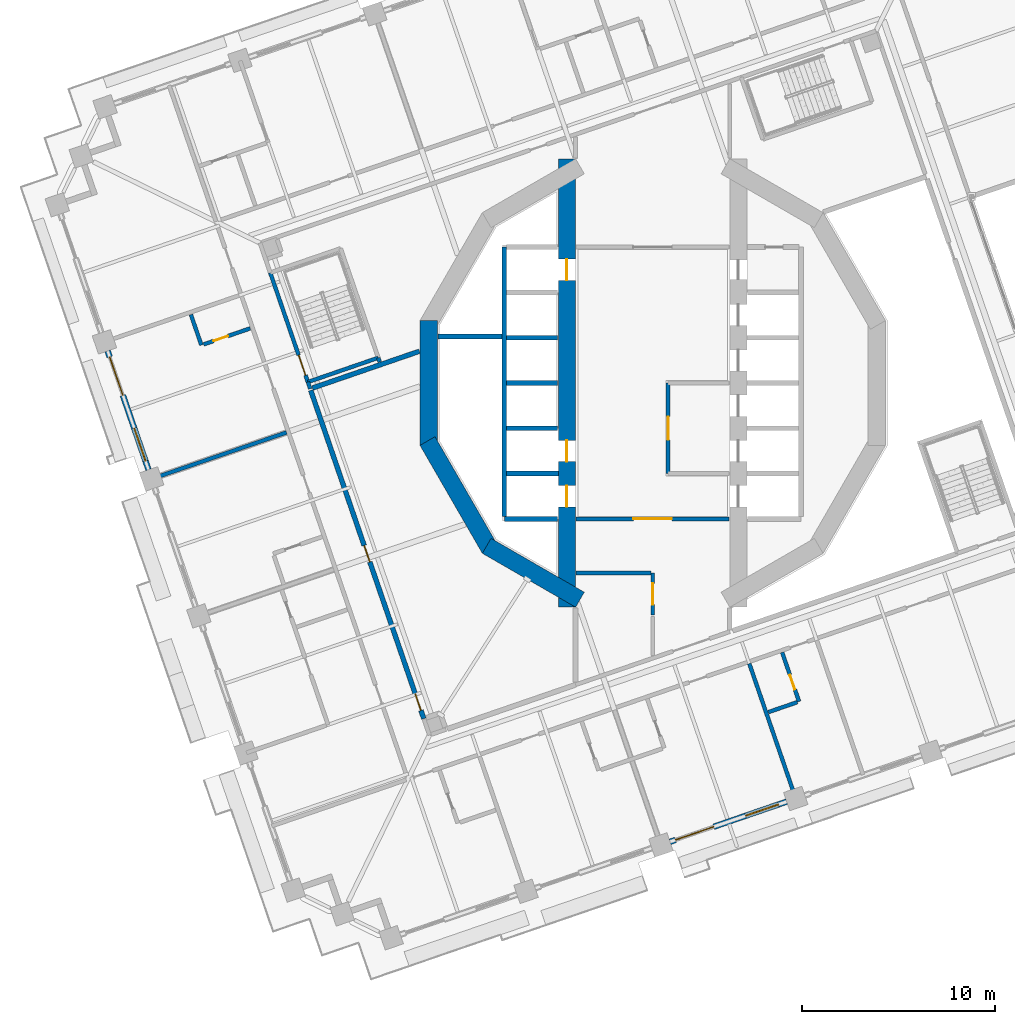
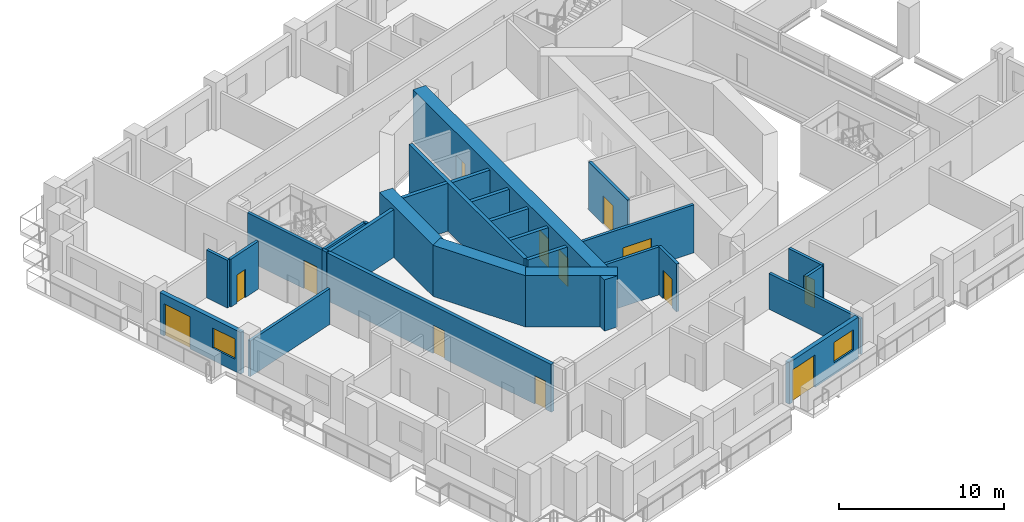
# One storey, part 9 of 21: 29 walls, 13 doors, 2 windows, 15 openings.
"""IFC4 building model written with IfcOpenShell, lengths in metres."""

from ifc_helpers import new_model, si_unit, direction, frame, frame_2d, origin, place, context, subcontext, project, spatial, rectangle, extrude, material, layer, layer_set, type_object, element, fill, save


model = new_model("IFC4")

# Units and contexts
model_context = context("Model", 3, precision=1e-05, world=origin(), true_north=direction((0.0, 1.0)))
body_context = subcontext(model_context, "Body", "Model", "MODEL_VIEW")
ifc_project = project(units=[si_unit("LENGTHUNIT", "METRE"), si_unit("AREAUNIT", "SQUARE_METRE"), si_unit("VOLUMEUNIT", "CUBIC_METRE"), si_unit("PLANEANGLEUNIT", "RADIAN"), si_unit("MASSUNIT", "GRAM", prefix="KILO")], contexts=[model_context])

# Site, building, storey
site_placement = place(None, origin())
site = spatial("IfcSite", under=ifc_project, at=site_placement, CompositionType="ELEMENT")
building_placement = place(site_placement, origin())
building = spatial("IfcBuilding", under=site, at=building_placement, Name="Cantera Rosa Tower", CompositionType="ELEMENT")
storey_placement = place(building_placement, frame((0.0, 0.0, 119.300048828125)))
storey = spatial("IfcBuildingStorey", under=building, at=storey_placement, Name="L24", CompositionType="ELEMENT", Elevation=119.300048828125)

# Wall
ifc_material_1 = material(Name="Gypsum board partition")
ifc_layer_1 = layer(ifc_material_1, 0.199951171875)
ifc_layer_set_1 = layer_set([ifc_layer_1], Name="CORRIDOR WALL 200 H3550")
wall_type_1 = type_object("IfcWallType", Name="CORRIDOR WALL 200 H3550", PredefinedType="PARTITIONING", material=ifc_layer_set_1)
wall_1_placement = place(storey_placement, frame((-17.8916015625, 0.05126953125, 0.0), z_axis=(0.0, 0.0, 1.0), x_axis=(0.325627937911, -0.945497988391, 0.0)))
element("IfcWall", 1, at=wall_1_placement, inside=storey, type_object=wall_type_1, Name="CORRIDOR WALL L24-018", PredefinedType="PARTITIONING", context=body_context, shape_type="SweptSolid", body=[
    extrude(rectangle(XDim=0.373291015625, YDim=0.199951171875, at=frame_2d((0.1865234375, 0.0))), origin(), (0.0, 0.0, 1.0), 3.550048828125),
])

# Wall, opening, door
wall_2_placement = place(storey_placement, frame((0.0, -12.044189453125, 0.0), z_axis=(0.0, 0.0, 1.0), x_axis=(0.0, 1.0, 0.0)))
wall_2 = element("IfcWall", 2, at=wall_2_placement, inside=storey, type_object=wall_type_1, Name="CORRIDOR WALL L24-061", PredefinedType="PARTITIONING", context=body_context, shape_type="SweptSolid", body=[
    extrude(rectangle(XDim=2.194091796875, YDim=0.199951171875, at=frame_2d((1.09716796875, 0.0))), origin(), (0.0, 0.0, 1.0), 3.550048828125),
])
opening_1_placement = place(wall_2_placement, frame((0.547119140625, 0.0, 0.0)))
opening_1 = element("IfcOpeningElement", 3, at=opening_1_placement, cuts=wall_2, Name="Opening L24-012", PredefinedType="OPENING", context=body_context, shape_type="SweptSolid", body=[
    extrude(rectangle(XDim=1.10009765625, YDim=2.10009765625, at=frame_2d((0.550048828125, 1.050048828125))), frame((0.0, 0.10986328125, 0.0), z_axis=(0.0, -1.0, 0.0), x_axis=(1.0, 0.0, 0.0)), (0.0, 0.0, 1.0), 0.219970703125),
])
ifc_material_2 = material(Name="Timber door leaf", Category="wood")
door_type_1 = type_object("IfcDoorType", Name="ROOM DOOR 1100x2100", OperationType="NOTDEFINED", PredefinedType="DOOR", material=ifc_material_2)
door_1_placement = place(opening_1_placement, origin())
door_1 = element("IfcDoor", 4, at=door_1_placement, inside=storey, type_object=door_type_1, Name="DOOR L24-012", OperationType="NOTDEFINED", OverallHeight=2.10009765625, OverallWidth=1.10009765625, PredefinedType="DOOR", context=body_context, shape_type="SweptSolid", body=[
    extrude(rectangle(XDim=1.10009765625, YDim=2.10009765625, at=frame_2d((0.550048828125, 1.050048828125))), frame((0.0, 0.02490234375, 0.0), z_axis=(0.0, -1.0, 0.0), x_axis=(1.0, 0.0, 0.0)), (0.0, 0.0, 1.0), 0.050048828125),
])
fill(opening_1, door_1)

# Wall
wall_3_placement = place(storey_placement, frame((-0.10009765625, -9.85009765625, 0.0), z_axis=(0.0, 0.0, 1.0), x_axis=(-1.0, 0.0, 0.0)))
element("IfcWall", 5, at=wall_3_placement, inside=storey, type_object=wall_type_1, Name="CORRIDOR WALL L24-062", PredefinedType="PARTITIONING", context=body_context, shape_type="SweptSolid", body=[
    extrude(rectangle(XDim=3.869873046875, YDim=0.199951171875, at=frame_2d((1.93505859375, 0.0))), origin(), (0.0, 0.0, 1.0), 3.550048828125),
])

# Wall, opening, door
wall_4_placement = place(storey_placement, frame((3.969970703125, -7.050048828125, 0.0), z_axis=(0.0, 0.0, 1.0), x_axis=(-1.0, 0.0, 0.0)))
wall_4 = element("IfcWall", 6, at=wall_4_placement, inside=storey, type_object=wall_type_1, Name="CORRIDOR WALL L24-066", PredefinedType="PARTITIONING", context=body_context, shape_type="SweptSolid", body=[
    extrude(rectangle(XDim=7.93994140625, YDim=0.199951171875, at=frame_2d((3.969970703125, 0.0))), origin(), (0.0, 0.0, 1.0), 3.550048828125),
])
opening_2_placement = place(wall_4_placement, frame((2.969970703125, 0.0, 0.0)))
opening_2 = element("IfcOpeningElement", 7, at=opening_2_placement, cuts=wall_4, Name="Opening L24-010", PredefinedType="OPENING", context=body_context, shape_type="SweptSolid", body=[
    extrude(rectangle(XDim=2.0, YDim=2.10009765625, at=frame_2d((1.0, 1.050048828125))), frame((0.0, 0.10986328125, 0.0), z_axis=(0.0, -1.0, 0.0), x_axis=(1.0, 0.0, 0.0)), (0.0, 0.0, 1.0), 0.219970703125),
])
ifc_material_3 = material(Name="Steel S355J2 (EN 10025-2)", Category="steel")
door_type_2 = type_object("IfcDoorType", Name="LOBBY SCREEN DOOR 2000x2100", OperationType="NOTDEFINED", PredefinedType="DOOR", material=ifc_material_3)
door_2_placement = place(opening_2_placement, origin())
door_2 = element("IfcDoor", 8, at=door_2_placement, inside=storey, type_object=door_type_2, Name="DOOR L24-010", OperationType="NOTDEFINED", OverallHeight=2.10009765625, OverallWidth=2.0, PredefinedType="DOOR", context=body_context, shape_type="SweptSolid", body=[
    extrude(rectangle(XDim=2.0, YDim=2.10009765625, at=frame_2d((1.0, 1.050048828125))), frame((0.0, 0.02490234375, 0.0), z_axis=(0.0, -1.0, 0.0), x_axis=(1.0, 0.0, 0.0)), (0.0, 0.0, 1.0), 0.050048828125),
])
fill(opening_2, door_2)

# Wall, openings, window, door
ifc_material_4 = material(Name="Hollow clay masonry with cantera stone cladding", Category="masonry")
ifc_layer_2 = layer(ifc_material_4, 0.300048828125)
ifc_layer_set_2 = layer_set([ifc_layer_2], Name="EW-LOGGIA 300 H3090")
wall_type_2 = type_object("IfcWallType", Name="EW-LOGGIA 300 H3090", PredefinedType="SOLIDWALL", material=ifc_layer_set_2)
wall_5_placement = place(storey_placement, frame((-28.2822265625, 1.662841796875, 0.0), z_axis=(0.0, 0.0, 1.0), x_axis=(0.325580990241, -0.945514155787, 0.0)))
wall_5 = element("IfcWall", 9, at=wall_5_placement, inside=storey, type_object=wall_type_2, Name="EN-L24-W17", PredefinedType="SOLIDWALL", context=body_context, shape_type="SweptSolid", body=[
    extrude(rectangle(XDim=6.52001953125, YDim=0.300048828125, at=frame_2d((3.260009765625, 0.0))), origin(), (0.0, 0.0, 1.0), 3.08984375),
])
opening_3_placement = place(wall_5_placement, frame((0.330078125, 0.0, 0.0)))
opening_3 = element("IfcOpeningElement", 10, at=opening_3_placement, cuts=wall_5, Name="Opening L24-TD21", PredefinedType="OPENING", context=body_context, shape_type="SweptSolid", body=[
    extrude(rectangle(XDim=2.10009765625, YDim=2.39990234375, at=frame_2d((1.050048828125, 1.199951171875))), frame((0.0, 0.159912109375, 0.0), z_axis=(0.0, -1.0, 0.0), x_axis=(1.0, 0.0, 0.0)), (0.0, 0.0, 1.0), 0.320068359375),
])
opening_4_placement = place(wall_5_placement, frame((4.239990234375, 0.0, 0.89990234375)))
opening_4 = element("IfcOpeningElement", 11, at=opening_4_placement, cuts=wall_5, Name="Opening L24-W22", PredefinedType="OPENING", context=body_context, shape_type="SweptSolid", body=[
    extrude(rectangle(XDim=1.800048828125, YDim=1.5, at=frame_2d((0.89990234375, 0.75))), frame((0.0, 0.159912109375, 0.0), z_axis=(0.0, -1.0, 0.0), x_axis=(1.0, 0.0, 0.0)), (0.0, 0.0, 1.0), 0.320068359375),
])
ifc_material_5 = material(Name="Aluminium frame with clear glass", Category="aluminium")
window_type = type_object("IfcWindowType", Name="Hotel room window 1800x1500", PartitioningType="DOUBLE_PANEL_VERTICAL", PredefinedType="WINDOW", material=ifc_material_5)
window_1_placement = place(opening_4_placement, origin())
window_1 = element("IfcWindow", 12, at=window_1_placement, inside=storey, type_object=window_type, Name="WINDOW L24-W22", OverallHeight=1.5, OverallWidth=1.800048828125, PartitioningType="SINGLE_PANEL", PredefinedType="WINDOW", context=body_context, shape_type="SweptSolid", body=[
    extrude(rectangle(XDim=1.800048828125, YDim=1.5, at=frame_2d((0.89990234375, 0.75))), frame((0.0, 0.030029296875, 0.0), z_axis=(0.0, -1.0, 0.0), x_axis=(1.0, 0.0, 0.0)), (0.0, 0.0, 1.0), 0.06005859375),
])
fill(opening_4, window_1)
ifc_material_6 = material(Name="Aluminium frame with clear glass", Category="aluminium")
door_type_3 = type_object("IfcDoorType", Name="TD-H 2100x2400", OperationType="NOTDEFINED", PredefinedType="DOOR", material=ifc_material_6)
door_3_placement = place(opening_3_placement, origin())
door_3 = element("IfcDoor", 13, at=door_3_placement, inside=storey, type_object=door_type_3, Name="LOGGIA DOOR L24-TD21", OperationType="SLIDING_TO_LEFT", OverallHeight=2.39990234375, OverallWidth=2.10009765625, PredefinedType="DOOR", context=body_context, shape_type="SweptSolid", body=[
    extrude(rectangle(XDim=2.10009765625, YDim=2.39990234375, at=frame_2d((1.050048828125, 1.199951171875))), frame((0.0, 0.02490234375, 0.0), z_axis=(0.0, -1.0, 0.0), x_axis=(1.0, 0.0, 0.0)), (0.0, 0.0, 1.0), 0.050048828125),
])
fill(opening_3, door_3)

wall_6_placement = place(storey_placement, frame((0.89892578125, -23.80419921875, 0.0), z_axis=(0.0, 0.0, 1.0), x_axis=(0.945524496524, 0.325550958337, 0.0)))
wall_6 = element("IfcWall", 14, at=wall_6_placement, inside=storey, type_object=wall_type_2, Name="EN-L24-W25", PredefinedType="SOLIDWALL", context=body_context, shape_type="SweptSolid", body=[
    extrude(rectangle(XDim=6.39990234375, YDim=0.300048828125, at=frame_2d((3.199951171875, 0.0))), origin(), (0.0, 0.0, 1.0), 3.08984375),
])
opening_5_placement = place(wall_6_placement, frame((0.300048828125, 0.0, 0.0)))
opening_5 = element("IfcOpeningElement", 15, at=opening_5_placement, cuts=wall_6, Name="Opening L24-TD33", PredefinedType="OPENING", context=body_context, shape_type="SweptSolid", body=[
    extrude(rectangle(XDim=2.10009765625, YDim=2.39990234375, at=frame_2d((1.050048828125, 1.199951171875))), frame((0.0, 0.159912109375, 0.0), z_axis=(0.0, -1.0, 0.0), x_axis=(1.0, 0.0, 0.0)), (0.0, 0.0, 1.0), 0.320068359375),
])
opening_6_placement = place(wall_6_placement, frame((4.14990234375, 0.0, 0.89990234375)))
opening_6 = element("IfcOpeningElement", 16, at=opening_6_placement, cuts=wall_6, Name="Opening L24-W34", PredefinedType="OPENING", context=body_context, shape_type="SweptSolid", body=[
    extrude(rectangle(XDim=1.800048828125, YDim=1.5, at=frame_2d((0.89990234375, 0.75))), frame((0.0, 0.159912109375, 0.0), z_axis=(0.0, -1.0, 0.0), x_axis=(1.0, 0.0, 0.0)), (0.0, 0.0, 1.0), 0.320068359375),
])
window_2_placement = place(opening_6_placement, origin())
window_2 = element("IfcWindow", 17, at=window_2_placement, inside=storey, type_object=window_type, Name="WINDOW L24-W34", OverallHeight=1.5, OverallWidth=1.800048828125, PartitioningType="SINGLE_PANEL", PredefinedType="WINDOW", context=body_context, shape_type="SweptSolid", body=[
    extrude(rectangle(XDim=1.800048828125, YDim=1.5, at=frame_2d((0.89990234375, 0.75))), frame((0.0, 0.030029296875, 0.0), z_axis=(0.0, -1.0, 0.0), x_axis=(1.0, 0.0, 0.0)), (0.0, 0.0, 1.0), 0.06005859375),
])
fill(opening_6, window_2)
door_4_placement = place(opening_5_placement, origin())
door_4 = element("IfcDoor", 18, at=door_4_placement, inside=storey, type_object=door_type_3, Name="LOGGIA DOOR L24-TD33", OperationType="SLIDING_TO_LEFT", OverallHeight=2.39990234375, OverallWidth=2.10009765625, PredefinedType="DOOR", context=body_context, shape_type="SweptSolid", body=[
    extrude(rectangle(XDim=2.10009765625, YDim=2.39990234375, at=frame_2d((1.050048828125, 1.199951171875))), frame((0.0, 0.02490234375, 0.0), z_axis=(0.0, -1.0, 0.0), x_axis=(1.0, 0.0, 0.0)), (0.0, 0.0, 1.0), 0.050048828125),
])
fill(opening_5, door_4)

# Wall
ifc_material_7 = material(Name="Gypsum board partition")
ifc_layer_3 = layer(ifc_material_7, 0.199951171875)
ifc_layer_set_3 = layer_set([ifc_layer_3], Name="PARTITION 200 H3550")
wall_type_3 = type_object("IfcWallType", Name="PARTITION 200 H3550", PredefinedType="PARTITIONING", material=ifc_layer_set_3)
wall_7_placement = place(storey_placement, frame((-23.4150390625, 1.9638671875, 0.0), z_axis=(0.0, 0.0, 1.0), x_axis=(-0.325542759796, 0.945527319301, 0.0)))
element("IfcWall", 19, at=wall_7_placement, inside=storey, type_object=wall_type_3, Name="PARTITION L24-002", PredefinedType="PARTITIONING", context=body_context, shape_type="SweptSolid", body=[
    extrude(rectangle(XDim=1.679931640625, YDim=0.199951171875, at=frame_2d((0.83984375, 0.0))), origin(), (0.0, 0.0, 1.0), 3.550048828125),
])

# Wall, opening, door
wall_8_placement = place(storey_placement, frame((-20.881103515625, 2.836181640625, 0.0), z_axis=(0.0, 0.0, 1.0), x_axis=(-0.945538067089, -0.325511541555, 0.0)))
wall_8 = element("IfcWall", 20, at=wall_8_placement, inside=storey, type_object=wall_type_3, Name="PARTITION L24-007", PredefinedType="PARTITIONING", context=body_context, shape_type="SweptSolid", body=[
    extrude(rectangle(XDim=2.559814453125, YDim=0.199951171875, at=frame_2d((1.27978515625, 0.0))), origin(), (0.0, 0.0, 1.0), 3.550048828125),
])
opening_7_placement = place(wall_8_placement, frame((1.216064453125, 0.0, 0.0)))
opening_7 = element("IfcOpeningElement", 21, at=opening_7_placement, cuts=wall_8, Name="Opening L24-028", PredefinedType="OPENING", context=body_context, shape_type="SweptSolid", body=[
    extrude(rectangle(XDim=0.800048828125, YDim=2.10009765625, at=frame_2d((0.39990234375, 1.050048828125))), frame((0.0, 0.10986328125, 0.0), z_axis=(0.0, -1.0, 0.0), x_axis=(1.0, 0.0, 0.0)), (0.0, 0.0, 1.0), 0.219970703125),
])
ifc_material_8 = material(Name="Timber door leaf", Category="wood")
door_type_4 = type_object("IfcDoorType", Name="BATHROOM DOOR 800x2100", OperationType="NOTDEFINED", PredefinedType="DOOR", material=ifc_material_8)
door_5_placement = place(opening_7_placement, origin())
door_5 = element("IfcDoor", 22, at=door_5_placement, inside=storey, type_object=door_type_4, Name="DOOR L24-028", OperationType="NOTDEFINED", OverallHeight=2.10009765625, OverallWidth=0.800048828125, PredefinedType="DOOR", context=body_context, shape_type="SweptSolid", body=[
    extrude(rectangle(XDim=0.800048828125, YDim=2.10009765625, at=frame_2d((0.39990234375, 1.050048828125))), frame((0.0, 0.02490234375, 0.0), z_axis=(0.0, -1.0, 0.0), x_axis=(1.0, 0.0, 0.0)), (0.0, 0.0, 1.0), 0.050048828125),
])
fill(opening_7, door_5)

# Wall
wall_9_placement = place(storey_placement, frame((-14.165283203125, 1.0927734375, 0.0), z_axis=(0.0, 0.0, 1.0), x_axis=(-0.324870696456, 0.945758441984, 0.0)))
element("IfcWall", 23, at=wall_9_placement, inside=storey, type_object=wall_type_3, Name="PARTITION L24-027", PredefinedType="PARTITIONING", context=body_context, shape_type="SweptSolid", body=[
    extrude(rectangle(XDim=0.228515625, YDim=0.199951171875, at=frame_2d((0.1142578125, 0.0))), origin(), (0.0, 0.0, 1.0), 3.550048828125),
])

# Wall, opening, door
wall_10_placement = place(storey_placement, frame((6.7158203125, -13.97509765625, 0.0), z_axis=(0.0, 0.0, 1.0), x_axis=(0.325544748006, -0.945526634763, 0.0)))
wall_10 = element("IfcWall", 24, at=wall_10_placement, inside=storey, type_object=wall_type_3, Name="PARTITION L24-078", PredefinedType="PARTITIONING", context=body_context, shape_type="SweptSolid", body=[
    extrude(rectangle(XDim=2.69970703125, YDim=0.199951171875, at=frame_2d((1.349853515625, 0.0))), origin(), (0.0, 0.0, 1.0), 3.550048828125),
])
opening_8_placement = place(wall_10_placement, frame((1.236083984375, 0.0, 0.0)))
opening_8 = element("IfcOpeningElement", 25, at=opening_8_placement, cuts=wall_10, Name="Opening L24-041", PredefinedType="OPENING", context=body_context, shape_type="SweptSolid", body=[
    extrude(rectangle(XDim=0.800048828125, YDim=2.10009765625, at=frame_2d((0.39990234375, 1.050048828125))), frame((0.0, 0.10986328125, 0.0), z_axis=(0.0, -1.0, 0.0), x_axis=(1.0, 0.0, 0.0)), (0.0, 0.0, 1.0), 0.219970703125),
])
door_6_placement = place(opening_8_placement, origin())
door_6 = element("IfcDoor", 26, at=door_6_placement, inside=storey, type_object=door_type_4, Name="DOOR L24-041", OperationType="NOTDEFINED", OverallHeight=2.10009765625, OverallWidth=0.800048828125, PredefinedType="DOOR", context=body_context, shape_type="SweptSolid", body=[
    extrude(rectangle(XDim=0.800048828125, YDim=2.10009765625, at=frame_2d((0.39990234375, 1.050048828125))), frame((0.0, 0.02490234375, 0.0), z_axis=(0.0, -1.0, 0.0), x_axis=(1.0, 0.0, 0.0)), (0.0, 0.0, 1.0), 0.050048828125),
])
fill(opening_8, door_6)

# Walls
wall_11_placement = place(storey_placement, frame((7.500244140625, -16.560302734375, 0.0), z_axis=(0.0, 0.0, 1.0), x_axis=(-0.945532128907, -0.325528790132, 0.0)))
element("IfcWall", 27, at=wall_11_placement, inside=storey, type_object=wall_type_3, Name="PARTITION L24-079", PredefinedType="PARTITIONING", context=body_context, shape_type="SweptSolid", body=[
    extrude(rectangle(XDim=1.580322265625, YDim=0.199951171875, at=frame_2d((0.7900390625, 0.0))), origin(), (0.0, 0.0, 1.0), 3.550048828125),
])
ifc_material_9 = material(Name="Gypsum board partition")
ifc_layer_4 = layer(ifc_material_9, 0.199951171875)
ifc_layer_set_4 = layer_set([ifc_layer_4], Name="PARTY WALL 200 H2650")
wall_type_4 = type_object("IfcWallType", Name="PARTY WALL 200 H2650", PredefinedType="PARTITIONING", material=ifc_layer_set_4)
for number, where, z_axis, x_axis, name in (
    (28, (-19.0, -2.5654296875, 0.0), (0.0, 0.0, 1.0), (-0.945509836983, -0.325593532134, 0.0), "PARTY WALL L24-017"),
    (29, (5.013671875, -14.56103515625, 0.0), (0.0, 0.0, 1.0), (0.325563917555, -0.945520034471, 0.0), "PARTY WALL L24-075"),
):
    element("IfcWall", number, at=place(storey_placement, frame(where, z_axis=z_axis, x_axis=x_axis)), inside=storey, type_object=wall_type_4, Name=name, PredefinedType="PARTITIONING", context=body_context, shape_type="SweptSolid", body=[
        extrude(rectangle(XDim=7.3701171875, YDim=0.199951171875, at=frame_2d((3.68505859375, 0.0))), origin(), (0.0, 0.0, 1.0), 2.64990234375),
    ])
ifc_material_10 = material(Name="Concrete C70/85", Category="concrete")
ifc_layer_5 = layer(ifc_material_10, 0.89990234375)
ifc_layer_set_5 = layer_set([ifc_layer_5], Name="RC CORE WALL 900 C70/85")
wall_type_5 = type_object("IfcWallType", Name="RC CORE WALL 900 C70/85", PredefinedType="SHEAR", material=ifc_layer_set_5)
wall_12_placement = place(storey_placement, frame((-3.77490234375, -11.242919921875, 0.0), z_axis=(0.0, 0.0, 1.0), x_axis=(-0.866026961591, 0.49999730179, 0.0)))
element("IfcWall", 30, at=wall_12_placement, inside=storey, type_object=wall_type_5, Name="CW-W1 L24", PredefinedType="SHEAR", context=body_context, shape_type="SweptSolid", body=[
    extrude(rectangle(XDim=5.58740234375, YDim=0.89990234375, at=frame_2d((2.793701171875, 0.0))), origin(), (0.0, 0.0, 1.0), 3.800048828125),
])
wall_13_placement = place(storey_placement, frame((-8.44921875, -8.61376953125, 0.0), z_axis=(0.0, 0.0, 1.0), x_axis=(-0.499990282633, 0.866031014036, 0.0)))
element("IfcWall", 31, at=wall_13_placement, inside=storey, type_object=wall_type_5, Name="CW-W2 L24", PredefinedType="SHEAR", context=body_context, shape_type="SweptSolid", body=[
    extrude(rectangle(XDim=6.470458984375, YDim=0.89990234375, at=frame_2d((3.2353515625, 0.0))), origin(), (0.0, 0.0, 1.0), 3.800048828125),
])
wall_14_placement = place(storey_placement, frame((-11.6240234375, -3.2353515625, 0.0), z_axis=(0.0, 0.0, 1.0), x_axis=(0.0, 1.0, 0.0)))
element("IfcWall", 32, at=wall_14_placement, inside=storey, type_object=wall_type_5, Name="CW-W3 L24", PredefinedType="SHEAR", context=body_context, shape_type="SweptSolid", body=[
    extrude(rectangle(XDim=6.470703125, YDim=0.89990234375, at=frame_2d((3.2353515625, 0.0))), origin(), (0.0, 0.0, 1.0), 3.800048828125),
])

# Wall, openings, doors
wall_15_placement = place(storey_placement, frame((-4.449951171875, 11.632568359375, 0.0), z_axis=(0.0, 0.0, 1.0), x_axis=(0.0, -1.0, 0.0)))
wall_15 = element("IfcWall", 33, at=wall_15_placement, inside=storey, type_object=wall_type_5, Name="CW-W6 L24", PredefinedType="SHEAR", context=body_context, shape_type="SweptSolid", body=[
    extrude(rectangle(XDim=23.26513671875, YDim=0.89990234375, at=frame_2d((11.632568359375, 0.0))), origin(), (0.0, 0.0, 1.0), 3.800048828125),
])
opening_9_placement = place(wall_15_placement, frame((14.607421875, 0.0, 0.0)))
opening_9 = element("IfcOpeningElement", 34, at=opening_9_placement, cuts=wall_15, Name="Opening LD-P3-L24", PredefinedType="OPENING", context=body_context, shape_type="SweptSolid", body=[
    extrude(rectangle(XDim=1.10009765625, YDim=2.10009765625, at=frame_2d((0.550048828125, 1.050048828125))), frame((0.0, 0.4599609375, 0.0), z_axis=(0.0, -1.0, 0.0), x_axis=(1.0, 0.0, 0.0)), (0.0, 0.0, 1.0), 0.919921875),
])
opening_10_placement = place(wall_15_placement, frame((16.95751953125, 0.0, 0.0)))
opening_10 = element("IfcOpeningElement", 35, at=opening_10_placement, cuts=wall_15, Name="Opening LD-P4-L24", PredefinedType="OPENING", context=body_context, shape_type="SweptSolid", body=[
    extrude(rectangle(XDim=1.10009765625, YDim=2.10009765625, at=frame_2d((0.550048828125, 1.050048828125))), frame((0.0, 0.4599609375, 0.0), z_axis=(0.0, -1.0, 0.0), x_axis=(1.0, 0.0, 0.0)), (0.0, 0.0, 1.0), 0.919921875),
])
opening_11_placement = place(wall_15_placement, frame((5.20751953125, 0.0, 0.0)))
opening_11 = element("IfcOpeningElement", 36, at=opening_11_placement, cuts=wall_15, Name="Opening LD-P5-L24", PredefinedType="OPENING", context=body_context, shape_type="SweptSolid", body=[
    extrude(rectangle(XDim=1.10009765625, YDim=2.10009765625, at=frame_2d((0.550048828125, 1.050048828125))), frame((0.0, 0.4599609375, 0.0), z_axis=(0.0, -1.0, 0.0), x_axis=(1.0, 0.0, 0.0)), (0.0, 0.0, 1.0), 0.919921875),
])
ifc_material_11 = material(Name="Steel S355J2 (EN 10025-2)", Category="steel")
door_type_5 = type_object("IfcDoorType", Name="LANDING DOOR 1100x2100", OperationType="NOTDEFINED", PredefinedType="DOOR", material=ifc_material_11)
door_7_placement = place(opening_9_placement, origin())
door_7 = element("IfcDoor", 37, at=door_7_placement, inside=storey, type_object=door_type_5, Name="LANDING DOOR P3 L24", OperationType="SLIDING_TO_LEFT", OverallHeight=2.10009765625, OverallWidth=1.10009765625, PredefinedType="DOOR", context=body_context, shape_type="SweptSolid", body=[
    extrude(rectangle(XDim=1.10009765625, YDim=2.10009765625, at=frame_2d((0.550048828125, 1.050048828125))), frame((0.0, 0.02490234375, 0.0), z_axis=(0.0, -1.0, 0.0), x_axis=(1.0, 0.0, 0.0)), (0.0, 0.0, 1.0), 0.050048828125),
])
fill(opening_9, door_7)
door_8_placement = place(opening_10_placement, origin())
door_8 = element("IfcDoor", 38, at=door_8_placement, inside=storey, type_object=door_type_5, Name="LANDING DOOR P4 L24", OperationType="SLIDING_TO_LEFT", OverallHeight=2.10009765625, OverallWidth=1.10009765625, PredefinedType="DOOR", context=body_context, shape_type="SweptSolid", body=[
    extrude(rectangle(XDim=1.10009765625, YDim=2.10009765625, at=frame_2d((0.550048828125, 1.050048828125))), frame((0.0, 0.02490234375, 0.0), z_axis=(0.0, -1.0, 0.0), x_axis=(1.0, 0.0, 0.0)), (0.0, 0.0, 1.0), 0.050048828125),
])
fill(opening_10, door_8)
door_9_placement = place(opening_11_placement, origin())
door_9 = element("IfcDoor", 39, at=door_9_placement, inside=storey, type_object=door_type_5, Name="LANDING DOOR P5 L24", OperationType="SLIDING_TO_LEFT", OverallHeight=2.10009765625, OverallWidth=1.10009765625, PredefinedType="DOOR", context=body_context, shape_type="SweptSolid", body=[
    extrude(rectangle(XDim=1.10009765625, YDim=2.10009765625, at=frame_2d((0.550048828125, 1.050048828125))), frame((0.0, 0.02490234375, 0.0), z_axis=(0.0, -1.0, 0.0), x_axis=(1.0, 0.0, 0.0)), (0.0, 0.0, 1.0), 0.050048828125),
])
fill(opening_11, door_9)

# Wall
ifc_material_12 = material(Name="Masonry blockwork", Category="masonry")
ifc_layer_6 = layer(ifc_material_12, 0.25)
ifc_layer_set_6 = layer_set([ifc_layer_6], Name="SHAFT WALL 250 H3550")
wall_type_6 = type_object("IfcWallType", Name="SHAFT WALL 250 H3550", PredefinedType="SOLIDWALL", material=ifc_layer_set_6)
wall_16_placement = place(storey_placement, frame((-17.656494140625, -0.2626953125, 0.0), z_axis=(0.0, 0.0, 1.0), x_axis=(0.945519124738, 0.325566559637, 0.0)))
element("IfcWall", 40, at=wall_16_placement, inside=storey, type_object=wall_type_6, Name="SHAFT WALL L24-019", PredefinedType="SOLIDWALL", context=body_context, shape_type="SweptSolid", body=[
    extrude(rectangle(XDim=5.872314453125, YDim=0.25, at=frame_2d((2.93603515625, 0.0))), origin(), (0.0, 0.0, 1.0), 3.550048828125),
])

# Wall, openings, doors
wall_17_placement = place(storey_placement, frame((-17.743896484375, -0.37744140625, 0.0), z_axis=(0.0, 0.0, 1.0), x_axis=(0.325568935993, -0.945518306495, 0.0)))
wall_17 = element("IfcWall", 41, at=wall_17_placement, inside=storey, type_object=wall_type_6, Name="SHAFT WALL L24-020", PredefinedType="SOLIDWALL", context=body_context, shape_type="SweptSolid", body=[
    extrude(rectangle(XDim=18.019775390625, YDim=0.25, at=frame_2d((9.009765625, 0.0))), origin(), (0.0, 0.0, 1.0), 3.550048828125),
])
opening_12_placement = place(wall_17_placement, frame((16.6650390625, 0.0, 0.0)))
opening_12 = element("IfcOpeningElement", 42, at=opening_12_placement, cuts=wall_17, Name="Opening L24-005", PredefinedType="OPENING", context=body_context, shape_type="SweptSolid", body=[
    extrude(rectangle(XDim=0.89990234375, YDim=2.10009765625, at=frame_2d((0.449951171875, 1.050048828125))), frame((0.0, 0.135009765625, 0.0), z_axis=(0.0, -1.0, 0.0), x_axis=(1.0, 0.0, 0.0)), (0.0, 0.0, 1.0), 0.27001953125),
])
opening_13_placement = place(wall_17_placement, frame((8.52001953125, 0.0, 0.0)))
opening_13 = element("IfcOpeningElement", 43, at=opening_13_placement, cuts=wall_17, Name="Opening L24-045", PredefinedType="OPENING", context=body_context, shape_type="SweptSolid", body=[
    extrude(rectangle(XDim=0.89990234375, YDim=2.10009765625, at=frame_2d((0.449951171875, 1.050048828125))), frame((0.0, 0.135009765625, 0.0), z_axis=(0.0, -1.0, 0.0), x_axis=(1.0, 0.0, 0.0)), (0.0, 0.0, 1.0), 0.27001953125),
])
ifc_material_13 = material(Name="Timber door leaf", Category="wood")
door_type_6 = type_object("IfcDoorType", Name="SERVICE DOOR 900x2100", OperationType="NOTDEFINED", PredefinedType="DOOR", material=ifc_material_13)
door_10_placement = place(opening_12_placement, origin())
door_10 = element("IfcDoor", 44, at=door_10_placement, inside=storey, type_object=door_type_6, Name="RISER DOOR L24-005", OperationType="NOTDEFINED", OverallHeight=2.10009765625, OverallWidth=0.89990234375, PredefinedType="DOOR", context=body_context, shape_type="SweptSolid", body=[
    extrude(rectangle(XDim=0.89990234375, YDim=2.10009765625, at=frame_2d((0.449951171875, 1.050048828125))), frame((0.0, 0.02490234375, 0.0), z_axis=(0.0, -1.0, 0.0), x_axis=(1.0, 0.0, 0.0)), (0.0, 0.0, 1.0), 0.050048828125),
])
fill(opening_12, door_10)
door_11_placement = place(opening_13_placement, origin())
door_11 = element("IfcDoor", 45, at=door_11_placement, inside=storey, type_object=door_type_6, Name="RISER DOOR L24-045", OperationType="NOTDEFINED", OverallHeight=2.10009765625, OverallWidth=0.89990234375, PredefinedType="DOOR", context=body_context, shape_type="SweptSolid", body=[
    extrude(rectangle(XDim=0.89990234375, YDim=2.10009765625, at=frame_2d((0.449951171875, 1.050048828125))), frame((0.0, 0.02490234375, 0.0), z_axis=(0.0, -1.0, 0.0), x_axis=(1.0, 0.0, 0.0)), (0.0, 0.0, 1.0), 0.050048828125),
])
fill(opening_13, door_11)

# Walls
wall_18_placement = place(storey_placement, frame((-11.14404296875, 2.417724609375, 0.0), z_axis=(0.0, 0.0, 1.0), x_axis=(1.0, 0.0, 0.0)))
element("IfcWall", 46, at=wall_18_placement, inside=storey, type_object=wall_type_6, Name="SHAFT WALL L24-032", PredefinedType="SOLIDWALL", context=body_context, shape_type="SweptSolid", body=[
    extrude(rectangle(XDim=3.319091796875, YDim=0.25, at=frame_2d((1.65966796875, 0.0))), origin(), (0.0, 0.0, 1.0), 3.550048828125),
])
wall_19_placement = place(storey_placement, frame((-7.699951171875, -7.050048828125, 0.0), z_axis=(0.0, 0.0, 1.0), x_axis=(1.0, 0.0, 0.0)))
element("IfcWall", 47, at=wall_19_placement, inside=storey, type_object=wall_type_6, Name="SHAFT WALL L24-038", PredefinedType="SOLIDWALL", context=body_context, shape_type="SweptSolid", body=[
    extrude(rectangle(XDim=2.77001953125, YDim=0.25, at=frame_2d((1.385009765625, 0.0))), origin(), (0.0, 0.0, 1.0), 3.550048828125),
])
wall_20_placement = place(storey_placement, frame((-7.574951171875, -4.699951171875, 0.0), z_axis=(0.0, 0.0, 1.0), x_axis=(1.0, 0.0, 0.0)))
element("IfcWall", 48, at=wall_20_placement, inside=storey, type_object=wall_type_6, Name="SHAFT WALL L24-039", PredefinedType="SOLIDWALL", context=body_context, shape_type="SweptSolid", body=[
    extrude(rectangle(XDim=2.675048828125, YDim=0.25, at=frame_2d((1.33740234375, 0.0))), origin(), (0.0, 0.0, 1.0), 3.550048828125),
])
for number, where, z_axis, x_axis, name in (
    (49, (-7.574951171875, -2.35009765625, 0.0), (0.0, 0.0, 1.0), (1.0, 0.0, 0.0), "SHAFT WALL L24-040"),
    (50, (-7.574951171875, 0.0, 0.0), (0.0, 0.0, 1.0), (1.0, 0.0, 0.0), "SHAFT WALL L24-041"),
    (51, (-7.574951171875, 2.35009765625, 0.0), (0.0, 0.0, 1.0), (1.0, 0.0, 0.0), "SHAFT WALL L24-042"),
):
    element("IfcWall", number, at=place(storey_placement, frame(where, z_axis=z_axis, x_axis=x_axis)), inside=storey, type_object=wall_type_6, Name=name, PredefinedType="SOLIDWALL", context=body_context, shape_type="SweptSolid", body=[
        extrude(rectangle(XDim=2.64501953125, YDim=0.25, at=frame_2d((1.322509765625, 0.0))), origin(), (0.0, 0.0, 1.0), 3.550048828125),
    ])
wall_21_placement = place(storey_placement, frame((-7.699951171875, 7.050048828125, 0.0), z_axis=(0.0, 0.0, 1.0), x_axis=(0.0, -1.0, 0.0)))
element("IfcWall", 52, at=wall_21_placement, inside=storey, type_object=wall_type_6, Name="SHAFT WALL L24-044", PredefinedType="SOLIDWALL", context=body_context, shape_type="SweptSolid", body=[
    extrude(rectangle(XDim=13.97998046875, YDim=0.25, at=frame_2d((6.989990234375, 0.0))), origin(), (0.0, 0.0, 1.0), 3.550048828125),
])

# Wall, opening, door
ifc_material_14 = material(Name="Concrete C50/60", Category="concrete")
ifc_layer_7 = layer(ifc_material_14, 0.199951171875)
ifc_layer_set_7 = layer_set([ifc_layer_7], Name="STAIR WALL 200 H3550")
wall_type_7 = type_object("IfcWallType", Name="STAIR WALL 200 H3550", PredefinedType="SOLIDWALL", material=ifc_layer_set_7)
wall_22_placement = place(storey_placement, frame((-19.844970703125, 5.724365234375, 0.0), z_axis=(0.0, 0.0, 1.0), x_axis=(0.325563034341, -0.945520338581, 0.0)))
wall_22 = element("IfcWall", 53, at=wall_22_placement, inside=storey, type_object=wall_type_7, Name="STAIR WALL L24-011", PredefinedType="SOLIDWALL", context=body_context, shape_type="SweptSolid", body=[
    extrude(rectangle(XDim=6.0, YDim=0.199951171875, at=frame_2d((3.0, 0.0))), origin(), (0.0, 0.0, 1.0), 3.550048828125),
])
opening_14_placement = place(wall_22_placement, frame((4.52490234375, 0.0, 0.0)))
opening_14 = element("IfcOpeningElement", 54, at=opening_14_placement, cuts=wall_22, Name="Opening L24-002", PredefinedType="OPENING", context=body_context, shape_type="SweptSolid", body=[
    extrude(rectangle(XDim=1.10009765625, YDim=2.10009765625, at=frame_2d((0.550048828125, 1.050048828125))), frame((0.0, 0.10986328125, 0.0), z_axis=(0.0, -1.0, 0.0), x_axis=(1.0, 0.0, 0.0)), (0.0, 0.0, 1.0), 0.219970703125),
])
ifc_material_15 = material(Name="Steel S355J2 (EN 10025-2)", Category="steel")
door_type_7 = type_object("IfcDoorType", Name="STAIR DOOR 1100x2100", OperationType="NOTDEFINED", PredefinedType="DOOR", material=ifc_material_15)
door_12_placement = place(opening_14_placement, origin())
door_12 = element("IfcDoor", 55, at=door_12_placement, inside=storey, type_object=door_type_7, Name="DOOR L24-002", OperationType="NOTDEFINED", OverallHeight=2.10009765625, OverallWidth=1.10009765625, PredefinedType="DOOR", context=body_context, shape_type="SweptSolid", body=[
    extrude(rectangle(XDim=1.10009765625, YDim=2.10009765625, at=frame_2d((0.550048828125, 1.050048828125))), frame((0.0, 0.02490234375, 0.0), z_axis=(0.0, -1.0, 0.0), x_axis=(1.0, 0.0, 0.0)), (0.0, 0.0, 1.0), 0.050048828125),
])
fill(opening_14, door_12)

# Wall
wall_23_placement = place(storey_placement, frame((-14.239501953125, 1.308837890625, 0.0), z_axis=(0.0, 0.0, 1.0), x_axis=(-0.945514621213, -0.325579638603, 0.0)))
element("IfcWall", 56, at=wall_23_placement, inside=storey, type_object=wall_type_7, Name="STAIR WALL L24-025", PredefinedType="SOLIDWALL", context=body_context, shape_type="SweptSolid", body=[
    extrude(rectangle(XDim=3.862548828125, YDim=0.199951171875, at=frame_2d((1.93115234375, 0.0))), origin(), (0.0, 0.0, 1.0), 3.550048828125),
])

# Wall, opening, door
wall_24_placement = place(storey_placement, frame((0.800048828125, -4.699951171875, 0.0), z_axis=(0.0, 0.0, 1.0), x_axis=(0.0, 1.0, 0.0)))
wall_24 = element("IfcWall", 57, at=wall_24_placement, inside=storey, type_object=wall_type_7, Name="STAIR WALL L24-064", PredefinedType="SOLIDWALL", context=body_context, shape_type="SweptSolid", body=[
    extrude(rectangle(XDim=4.699951171875, YDim=0.199951171875, at=frame_2d((2.35009765625, 0.0))), origin(), (0.0, 0.0, 1.0), 3.550048828125),
])
opening_15_placement = place(wall_24_placement, frame((1.75, 0.0, 0.0)))
opening_15 = element("IfcOpeningElement", 58, at=opening_15_placement, cuts=wall_24, Name="Opening L24-011", PredefinedType="OPENING", context=body_context, shape_type="SweptSolid", body=[
    extrude(rectangle(XDim=1.199951171875, YDim=2.10009765625, at=frame_2d((0.60009765625, 1.050048828125))), frame((0.0, 0.10986328125, 0.0), z_axis=(0.0, -1.0, 0.0), x_axis=(1.0, 0.0, 0.0)), (0.0, 0.0, 1.0), 0.219970703125),
])
ifc_material_16 = material(Name="Steel S355J2 (EN 10025-2)", Category="steel")
door_type_8 = type_object("IfcDoorType", Name="FIRE DOOR 1200x2100", OperationType="NOTDEFINED", PredefinedType="DOOR", material=ifc_material_16)
door_13_placement = place(opening_15_placement, origin())
door_13 = element("IfcDoor", 59, at=door_13_placement, inside=storey, type_object=door_type_8, Name="DOOR L24-011", OperationType="NOTDEFINED", OverallHeight=2.10009765625, OverallWidth=1.199951171875, PredefinedType="DOOR", context=body_context, shape_type="SweptSolid", body=[
    extrude(rectangle(XDim=1.199951171875, YDim=2.10009765625, at=frame_2d((0.60009765625, 1.050048828125))), frame((0.0, 0.02490234375, 0.0), z_axis=(0.0, -1.0, 0.0), x_axis=(1.0, 0.0, 0.0)), (0.0, 0.0, 1.0), 0.050048828125),
])
fill(opening_15, door_13)

save(model, "model.ifc")
